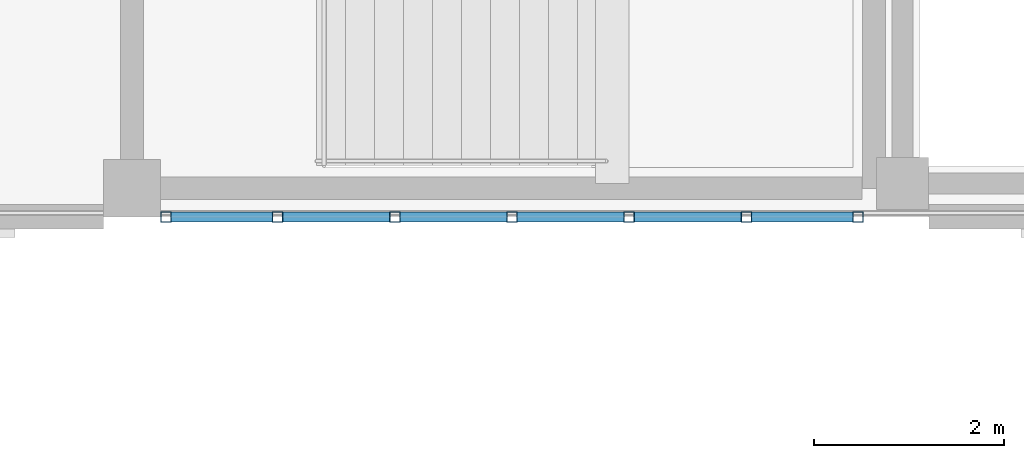
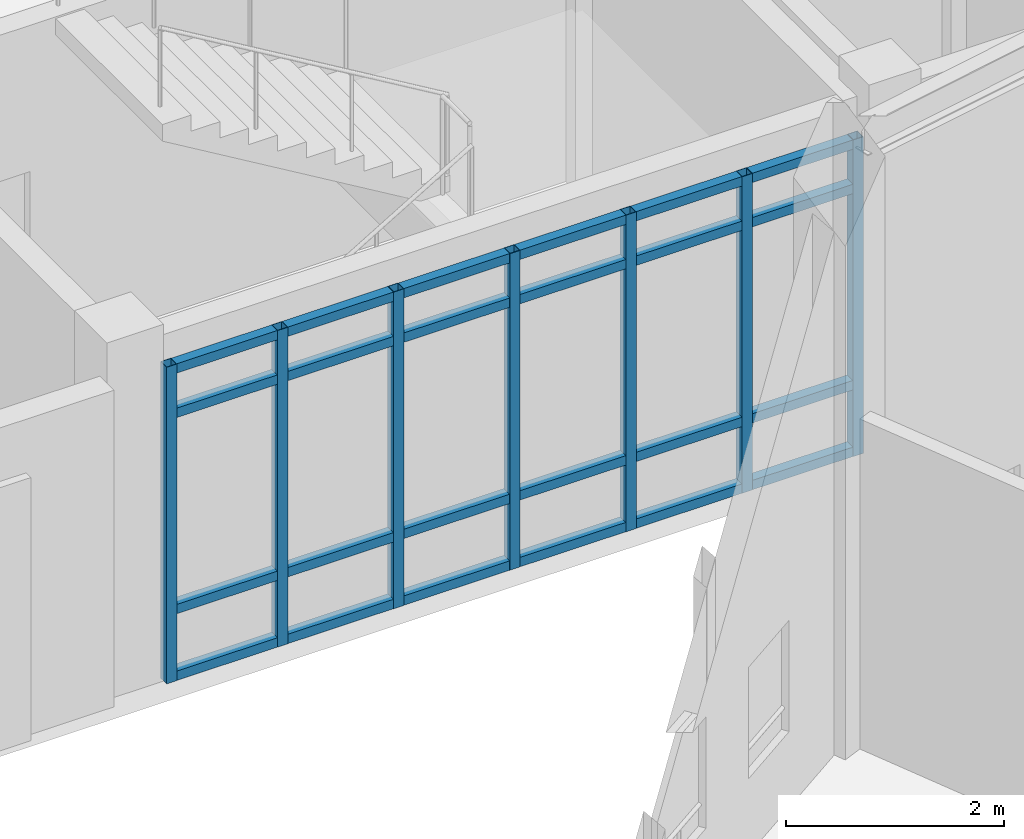
# One storey, part 20 of 149: 31 members, 1 element without a shape of its own.
"""IFC4 building model written with IfcOpenShell, lengths in metres."""

from ifc_helpers import new_model, si_unit, direction, frame, origin, origin_2d, place, context, subcontext, project, spatial, hollow_rectangle, extrude, material, material_profile, profile_set, type_object, element, aggregate, save


model = new_model("IFC4")

# Units and contexts
model_context = context("Model", 3, precision=1e-05, world=origin(), true_north=direction((0.0, 1.0)))
body_context = subcontext(model_context, "Body", "Model", "MODEL_VIEW")
ifc_project = project(units=[si_unit("LENGTHUNIT", "METRE"), si_unit("AREAUNIT", "SQUARE_METRE"), si_unit("VOLUMEUNIT", "CUBIC_METRE"), si_unit("PLANEANGLEUNIT", "RADIAN"), si_unit("MASSUNIT", "GRAM", prefix="KILO")], contexts=[model_context])

# Site, building, storey
site_placement = place(None, origin())
site = spatial("IfcSite", under=ifc_project, at=site_placement, CompositionType="ELEMENT")
building_placement = place(site_placement, origin())
building = spatial("IfcBuilding", under=site, at=building_placement, Name="Celadon Cloister-Ring School", CompositionType="ELEMENT")
storey_placement = place(building_placement, frame((0.0, 0.0, 12.5)))
storey = spatial("IfcBuildingStorey", under=building, at=storey_placement, Name="L03", CompositionType="ELEMENT", Elevation=12.5)

# Curtain wall, members
ifc_material_1 = material(Name="Aluminium EN AW-6063 T6", Category="aluminium")
curtain_wall_type = type_object("IfcCurtainWallType", Name="CW-13", PredefinedType="USERDEFINED", material=ifc_material_1)
curtain_wall_placement = place(storey_placement, origin())
curtain_wall = element("IfcCurtainWall", 1, at=curtain_wall_placement, inside=storey, type_object=curtain_wall_type, Name="Curtain Wall 0206", ObjectType="CURTAIN WALL", PredefinedType="USERDEFINED")
ifc_material_2 = material(Name="Aluminium EN AW-6063 T6", Category="aluminium")
ifc_material_profile_1 = material_profile(ifc_material_2, hollow_rectangle(XDim=0.110107421875, YDim=0.110107421875, WallThickness=0.0048828125, at=origin_2d()), Name="RHS110X110X5")
ifc_profile_set_1 = profile_set([ifc_material_profile_1], Name="Aluminium EN AW-6063 T6")
member_type_1 = type_object("IfcMemberType", Name="CM-01", PredefinedType="MULLION", material=ifc_profile_set_1)
member_1_placement = place(storey_placement, frame((15.885009765625, 40.0, 0.0), z_axis=(0.0, 0.0, 1.0), x_axis=(0.0, -1.0, 0.0)))
member_1 = element("IfcMember", 2, at=member_1_placement, type_object=member_type_1, Name="CW-13 mullion 1", PredefinedType="MULLION", context=body_context, shape_type="SweptSolid", body=[
    extrude(hollow_rectangle(XDim=0.110107421875, YDim=0.110107421875, WallThickness=0.0048828125, at=origin_2d()), origin(), (0.0, 0.0, 1.0), 3.550048828125),
])
member_2_placement = place(storey_placement, frame((14.708251953125, 40.0, 0.0), z_axis=(0.0, 0.0, 1.0), x_axis=(0.0, -1.0, 0.0)))
member_2 = element("IfcMember", 3, at=member_2_placement, type_object=member_type_1, Name="CW-13 mullion 2", PredefinedType="MULLION", context=body_context, shape_type="SweptSolid", body=[
    extrude(hollow_rectangle(XDim=0.110107421875, YDim=0.110107421875, WallThickness=0.0048828125, at=origin_2d()), origin(), (0.0, 0.0, 1.0), 3.550048828125),
])
member_3_placement = place(storey_placement, frame((13.4765625, 40.0, 0.0), z_axis=(0.0, 0.0, 1.0), x_axis=(0.0, -1.0, 0.0)))
member_3 = element("IfcMember", 4, at=member_3_placement, type_object=member_type_1, Name="CW-13 mullion 3", PredefinedType="MULLION", context=body_context, shape_type="SweptSolid", body=[
    extrude(hollow_rectangle(XDim=0.110107421875, YDim=0.110107421875, WallThickness=0.0048828125, at=origin_2d()), origin(), (0.0, 0.0, 1.0), 3.550048828125),
])
member_4_placement = place(storey_placement, frame((12.2451171875, 40.0, 0.0), z_axis=(0.0, 0.0, 1.0), x_axis=(0.0, -1.0, 0.0)))
member_4 = element("IfcMember", 5, at=member_4_placement, type_object=member_type_1, Name="CW-13 mullion 4", PredefinedType="MULLION", context=body_context, shape_type="SweptSolid", body=[
    extrude(hollow_rectangle(XDim=0.110107421875, YDim=0.110107421875, WallThickness=0.0048828125, at=origin_2d()), origin(), (0.0, 0.0, 1.0), 3.550048828125),
])
member_5_placement = place(storey_placement, frame((11.013427734375, 40.0, 0.0), z_axis=(0.0, 0.0, 1.0), x_axis=(0.0, -1.0, 0.0)))
member_5 = element("IfcMember", 6, at=member_5_placement, type_object=member_type_1, Name="CW-13 mullion 5", PredefinedType="MULLION", context=body_context, shape_type="SweptSolid", body=[
    extrude(hollow_rectangle(XDim=0.110107421875, YDim=0.110107421875, WallThickness=0.0048828125, at=origin_2d()), origin(), (0.0, 0.0, 1.0), 3.550048828125),
])
member_6_placement = place(storey_placement, frame((9.78173828125, 40.0, 0.0), z_axis=(0.0, 0.0, 1.0), x_axis=(0.0, -1.0, 0.0)))
member_6 = element("IfcMember", 7, at=member_6_placement, type_object=member_type_1, Name="CW-13 mullion 6", PredefinedType="MULLION", context=body_context, shape_type="SweptSolid", body=[
    extrude(hollow_rectangle(XDim=0.110107421875, YDim=0.110107421875, WallThickness=0.0048828125, at=origin_2d()), origin(), (0.0, 0.0, 1.0), 3.550048828125),
])
member_7_placement = place(storey_placement, frame((8.60498046875, 40.0, 0.0), z_axis=(0.0, 0.0, 1.0), x_axis=(0.0, -1.0, 0.0)))
member_7 = element("IfcMember", 8, at=member_7_placement, type_object=member_type_1, Name="CW-13 mullion 7", PredefinedType="MULLION", context=body_context, shape_type="SweptSolid", body=[
    extrude(hollow_rectangle(XDim=0.110107421875, YDim=0.110107421875, WallThickness=0.0048828125, at=origin_2d()), origin(), (0.0, 0.0, 1.0), 3.550048828125),
])
ifc_material_3 = material(Name="Aluminium EN AW-6063 T6", Category="aluminium")
ifc_material_profile_2 = material_profile(ifc_material_3, hollow_rectangle(XDim=0.10498046875, YDim=0.10498046875, WallThickness=0.0048828125, at=origin_2d()), Name="RHS105X105X5")
ifc_profile_set_2 = profile_set([ifc_material_profile_2], Name="Aluminium EN AW-6063 T6")
member_type_2 = type_object("IfcMemberType", Name="CTM-01", PredefinedType="USERDEFINED", material=ifc_profile_set_2)
member_8_placement = place(storey_placement, frame((15.830078125, 40.0, 0.052490234375), z_axis=(-1.0, 0.0, 0.0), x_axis=(0.0, -1.0, 0.0)))
member_8 = element("IfcMember", 9, at=member_8_placement, type_object=member_type_2, Name="CW-13 transom 1.1", ObjectType="TRANSOM", PredefinedType="USERDEFINED", context=body_context, shape_type="SweptSolid", body=[
    extrude(hollow_rectangle(XDim=0.10498046875, YDim=0.10498046875, WallThickness=0.0048828125, at=origin_2d()), origin(), (0.0, 0.0, 1.0), 1.066650390625),
])
member_9_placement = place(storey_placement, frame((15.830078125, 40.0, 0.800048828125), z_axis=(-1.0, 0.0, 0.0), x_axis=(0.0, -1.0, 0.0)))
member_9 = element("IfcMember", 10, at=member_9_placement, type_object=member_type_2, Name="CW-13 transom 1.2", ObjectType="TRANSOM", PredefinedType="USERDEFINED", context=body_context, shape_type="SweptSolid", body=[
    extrude(hollow_rectangle(XDim=0.10498046875, YDim=0.10498046875, WallThickness=0.0048828125, at=origin_2d()), origin(), (0.0, 0.0, 1.0), 1.066650390625),
])
member_10_placement = place(storey_placement, frame((15.830078125, 40.0, 3.0), z_axis=(-1.0, 0.0, 0.0), x_axis=(0.0, -1.0, 0.0)))
member_10 = element("IfcMember", 11, at=member_10_placement, type_object=member_type_2, Name="CW-13 transom 1.3", ObjectType="TRANSOM", PredefinedType="USERDEFINED", context=body_context, shape_type="SweptSolid", body=[
    extrude(hollow_rectangle(XDim=0.10498046875, YDim=0.10498046875, WallThickness=0.0048828125, at=origin_2d()), origin(), (0.0, 0.0, 1.0), 1.066650390625),
])
member_11_placement = place(storey_placement, frame((15.830078125, 40.0, 3.49755859375), z_axis=(-1.0, 0.0, 0.0), x_axis=(0.0, -1.0, 0.0)))
member_11 = element("IfcMember", 12, at=member_11_placement, type_object=member_type_2, Name="CW-13 transom 1.4", ObjectType="TRANSOM", PredefinedType="USERDEFINED", context=body_context, shape_type="SweptSolid", body=[
    extrude(hollow_rectangle(XDim=0.10498046875, YDim=0.10498046875, WallThickness=0.0048828125, at=origin_2d()), origin(), (0.0, 0.0, 1.0), 1.066650390625),
])
member_12_placement = place(storey_placement, frame((14.6533203125, 40.0, 0.052490234375), z_axis=(-1.0, 0.0, 0.0), x_axis=(0.0, -1.0, 0.0)))
member_12 = element("IfcMember", 13, at=member_12_placement, type_object=member_type_2, Name="CW-13 transom 2.1", ObjectType="TRANSOM", PredefinedType="USERDEFINED", context=body_context, shape_type="SweptSolid", body=[
    extrude(hollow_rectangle(XDim=0.10498046875, YDim=0.10498046875, WallThickness=0.0048828125, at=origin_2d()), origin(), (0.0, 0.0, 1.0), 1.12158203125),
])
member_13_placement = place(storey_placement, frame((14.6533203125, 40.0, 0.800048828125), z_axis=(-1.0, 0.0, 0.0), x_axis=(0.0, -1.0, 0.0)))
member_13 = element("IfcMember", 14, at=member_13_placement, type_object=member_type_2, Name="CW-13 transom 2.2", ObjectType="TRANSOM", PredefinedType="USERDEFINED", context=body_context, shape_type="SweptSolid", body=[
    extrude(hollow_rectangle(XDim=0.10498046875, YDim=0.10498046875, WallThickness=0.0048828125, at=origin_2d()), origin(), (0.0, 0.0, 1.0), 1.12158203125),
])
member_14_placement = place(storey_placement, frame((14.6533203125, 40.0, 3.0), z_axis=(-1.0, 0.0, 0.0), x_axis=(0.0, -1.0, 0.0)))
member_14 = element("IfcMember", 15, at=member_14_placement, type_object=member_type_2, Name="CW-13 transom 2.3", ObjectType="TRANSOM", PredefinedType="USERDEFINED", context=body_context, shape_type="SweptSolid", body=[
    extrude(hollow_rectangle(XDim=0.10498046875, YDim=0.10498046875, WallThickness=0.0048828125, at=origin_2d()), origin(), (0.0, 0.0, 1.0), 1.12158203125),
])
member_15_placement = place(storey_placement, frame((14.6533203125, 40.0, 3.49755859375), z_axis=(-1.0, 0.0, 0.0), x_axis=(0.0, -1.0, 0.0)))
member_15 = element("IfcMember", 16, at=member_15_placement, type_object=member_type_2, Name="CW-13 transom 2.4", ObjectType="TRANSOM", PredefinedType="USERDEFINED", context=body_context, shape_type="SweptSolid", body=[
    extrude(hollow_rectangle(XDim=0.10498046875, YDim=0.10498046875, WallThickness=0.0048828125, at=origin_2d()), origin(), (0.0, 0.0, 1.0), 1.12158203125),
])
member_16_placement = place(storey_placement, frame((13.421630859375, 40.0, 0.052490234375), z_axis=(-1.0, 0.0, 0.0), x_axis=(0.0, -1.0, 0.0)))
member_16 = element("IfcMember", 17, at=member_16_placement, type_object=member_type_2, Name="CW-13 transom 3.1", ObjectType="TRANSOM", PredefinedType="USERDEFINED", context=body_context, shape_type="SweptSolid", body=[
    extrude(hollow_rectangle(XDim=0.10498046875, YDim=0.10498046875, WallThickness=0.0048828125, at=origin_2d()), origin(), (0.0, 0.0, 1.0), 1.12158203125),
])
member_17_placement = place(storey_placement, frame((13.421630859375, 40.0, 0.800048828125), z_axis=(-1.0, 0.0, 0.0), x_axis=(0.0, -1.0, 0.0)))
member_17 = element("IfcMember", 18, at=member_17_placement, type_object=member_type_2, Name="CW-13 transom 3.2", ObjectType="TRANSOM", PredefinedType="USERDEFINED", context=body_context, shape_type="SweptSolid", body=[
    extrude(hollow_rectangle(XDim=0.10498046875, YDim=0.10498046875, WallThickness=0.0048828125, at=origin_2d()), origin(), (0.0, 0.0, 1.0), 1.12158203125),
])
member_18_placement = place(storey_placement, frame((13.421630859375, 40.0, 3.0), z_axis=(-1.0, 0.0, 0.0), x_axis=(0.0, -1.0, 0.0)))
member_18 = element("IfcMember", 19, at=member_18_placement, type_object=member_type_2, Name="CW-13 transom 3.3", ObjectType="TRANSOM", PredefinedType="USERDEFINED", context=body_context, shape_type="SweptSolid", body=[
    extrude(hollow_rectangle(XDim=0.10498046875, YDim=0.10498046875, WallThickness=0.0048828125, at=origin_2d()), origin(), (0.0, 0.0, 1.0), 1.12158203125),
])
member_19_placement = place(storey_placement, frame((13.421630859375, 40.0, 3.49755859375), z_axis=(-1.0, 0.0, 0.0), x_axis=(0.0, -1.0, 0.0)))
member_19 = element("IfcMember", 20, at=member_19_placement, type_object=member_type_2, Name="CW-13 transom 3.4", ObjectType="TRANSOM", PredefinedType="USERDEFINED", context=body_context, shape_type="SweptSolid", body=[
    extrude(hollow_rectangle(XDim=0.10498046875, YDim=0.10498046875, WallThickness=0.0048828125, at=origin_2d()), origin(), (0.0, 0.0, 1.0), 1.12158203125),
])
member_20_placement = place(storey_placement, frame((12.18994140625, 40.0, 0.052490234375), z_axis=(-1.0, 0.0, 0.0), x_axis=(0.0, -1.0, 0.0)))
member_20 = element("IfcMember", 21, at=member_20_placement, type_object=member_type_2, Name="CW-13 transom 4.1", ObjectType="TRANSOM", PredefinedType="USERDEFINED", context=body_context, shape_type="SweptSolid", body=[
    extrude(hollow_rectangle(XDim=0.10498046875, YDim=0.10498046875, WallThickness=0.0048828125, at=origin_2d()), origin(), (0.0, 0.0, 1.0), 1.12158203125),
])
member_21_placement = place(storey_placement, frame((12.18994140625, 40.0, 0.800048828125), z_axis=(-1.0, 0.0, 0.0), x_axis=(0.0, -1.0, 0.0)))
member_21 = element("IfcMember", 22, at=member_21_placement, type_object=member_type_2, Name="CW-13 transom 4.2", ObjectType="TRANSOM", PredefinedType="USERDEFINED", context=body_context, shape_type="SweptSolid", body=[
    extrude(hollow_rectangle(XDim=0.10498046875, YDim=0.10498046875, WallThickness=0.0048828125, at=origin_2d()), origin(), (0.0, 0.0, 1.0), 1.12158203125),
])
member_22_placement = place(storey_placement, frame((12.18994140625, 40.0, 3.0), z_axis=(-1.0, 0.0, 0.0), x_axis=(0.0, -1.0, 0.0)))
member_22 = element("IfcMember", 23, at=member_22_placement, type_object=member_type_2, Name="CW-13 transom 4.3", ObjectType="TRANSOM", PredefinedType="USERDEFINED", context=body_context, shape_type="SweptSolid", body=[
    extrude(hollow_rectangle(XDim=0.10498046875, YDim=0.10498046875, WallThickness=0.0048828125, at=origin_2d()), origin(), (0.0, 0.0, 1.0), 1.12158203125),
])
member_23_placement = place(storey_placement, frame((12.18994140625, 40.0, 3.49755859375), z_axis=(-1.0, 0.0, 0.0), x_axis=(0.0, -1.0, 0.0)))
member_23 = element("IfcMember", 24, at=member_23_placement, type_object=member_type_2, Name="CW-13 transom 4.4", ObjectType="TRANSOM", PredefinedType="USERDEFINED", context=body_context, shape_type="SweptSolid", body=[
    extrude(hollow_rectangle(XDim=0.10498046875, YDim=0.10498046875, WallThickness=0.0048828125, at=origin_2d()), origin(), (0.0, 0.0, 1.0), 1.12158203125),
])
member_24_placement = place(storey_placement, frame((10.958251953125, 40.0, 0.052490234375), z_axis=(-1.0, 0.0, 0.0), x_axis=(0.0, -1.0, 0.0)))
member_24 = element("IfcMember", 25, at=member_24_placement, type_object=member_type_2, Name="CW-13 transom 5.1", ObjectType="TRANSOM", PredefinedType="USERDEFINED", context=body_context, shape_type="SweptSolid", body=[
    extrude(hollow_rectangle(XDim=0.10498046875, YDim=0.10498046875, WallThickness=0.0048828125, at=origin_2d()), origin(), (0.0, 0.0, 1.0), 1.12158203125),
])
member_25_placement = place(storey_placement, frame((10.958251953125, 40.0, 0.800048828125), z_axis=(-1.0, 0.0, 0.0), x_axis=(0.0, -1.0, 0.0)))
member_25 = element("IfcMember", 26, at=member_25_placement, type_object=member_type_2, Name="CW-13 transom 5.2", ObjectType="TRANSOM", PredefinedType="USERDEFINED", context=body_context, shape_type="SweptSolid", body=[
    extrude(hollow_rectangle(XDim=0.10498046875, YDim=0.10498046875, WallThickness=0.0048828125, at=origin_2d()), origin(), (0.0, 0.0, 1.0), 1.12158203125),
])
member_26_placement = place(storey_placement, frame((10.958251953125, 40.0, 3.0), z_axis=(-1.0, 0.0, 0.0), x_axis=(0.0, -1.0, 0.0)))
member_26 = element("IfcMember", 27, at=member_26_placement, type_object=member_type_2, Name="CW-13 transom 5.3", ObjectType="TRANSOM", PredefinedType="USERDEFINED", context=body_context, shape_type="SweptSolid", body=[
    extrude(hollow_rectangle(XDim=0.10498046875, YDim=0.10498046875, WallThickness=0.0048828125, at=origin_2d()), origin(), (0.0, 0.0, 1.0), 1.12158203125),
])
member_27_placement = place(storey_placement, frame((10.958251953125, 40.0, 3.49755859375), z_axis=(-1.0, 0.0, 0.0), x_axis=(0.0, -1.0, 0.0)))
member_27 = element("IfcMember", 28, at=member_27_placement, type_object=member_type_2, Name="CW-13 transom 5.4", ObjectType="TRANSOM", PredefinedType="USERDEFINED", context=body_context, shape_type="SweptSolid", body=[
    extrude(hollow_rectangle(XDim=0.10498046875, YDim=0.10498046875, WallThickness=0.0048828125, at=origin_2d()), origin(), (0.0, 0.0, 1.0), 1.12158203125),
])
member_28_placement = place(storey_placement, frame((9.7265625, 40.0, 0.052490234375), z_axis=(-1.0, 0.0, 0.0), x_axis=(0.0, -1.0, 0.0)))
member_28 = element("IfcMember", 29, at=member_28_placement, type_object=member_type_2, Name="CW-13 transom 6.1", ObjectType="TRANSOM", PredefinedType="USERDEFINED", context=body_context, shape_type="SweptSolid", body=[
    extrude(hollow_rectangle(XDim=0.10498046875, YDim=0.10498046875, WallThickness=0.0048828125, at=origin_2d()), origin(), (0.0, 0.0, 1.0), 1.066650390625),
])
member_29_placement = place(storey_placement, frame((9.7265625, 40.0, 0.800048828125), z_axis=(-1.0, 0.0, 0.0), x_axis=(0.0, -1.0, 0.0)))
member_29 = element("IfcMember", 30, at=member_29_placement, type_object=member_type_2, Name="CW-13 transom 6.2", ObjectType="TRANSOM", PredefinedType="USERDEFINED", context=body_context, shape_type="SweptSolid", body=[
    extrude(hollow_rectangle(XDim=0.10498046875, YDim=0.10498046875, WallThickness=0.0048828125, at=origin_2d()), origin(), (0.0, 0.0, 1.0), 1.066650390625),
])
member_30_placement = place(storey_placement, frame((9.7265625, 40.0, 3.0), z_axis=(-1.0, 0.0, 0.0), x_axis=(0.0, -1.0, 0.0)))
member_30 = element("IfcMember", 31, at=member_30_placement, type_object=member_type_2, Name="CW-13 transom 6.3", ObjectType="TRANSOM", PredefinedType="USERDEFINED", context=body_context, shape_type="SweptSolid", body=[
    extrude(hollow_rectangle(XDim=0.10498046875, YDim=0.10498046875, WallThickness=0.0048828125, at=origin_2d()), origin(), (0.0, 0.0, 1.0), 1.066650390625),
])
member_31_placement = place(storey_placement, frame((9.7265625, 40.0, 3.49755859375), z_axis=(-1.0, 0.0, 0.0), x_axis=(0.0, -1.0, 0.0)))
member_31 = element("IfcMember", 32, at=member_31_placement, type_object=member_type_2, Name="CW-13 transom 6.4", ObjectType="TRANSOM", PredefinedType="USERDEFINED", context=body_context, shape_type="SweptSolid", body=[
    extrude(hollow_rectangle(XDim=0.10498046875, YDim=0.10498046875, WallThickness=0.0048828125, at=origin_2d()), origin(), (0.0, 0.0, 1.0), 1.066650390625),
])
aggregate(curtain_wall, [member_1, member_2, member_3, member_4, member_5, member_6, member_7, member_8, member_9, member_10, member_11, member_12, member_13, member_14, member_15, member_16, member_17, member_18, member_19, member_20, member_21, member_22, member_23, member_24, member_25, member_26, member_27, member_28, member_29, member_30, member_31])

save(model, "model.ifc")
